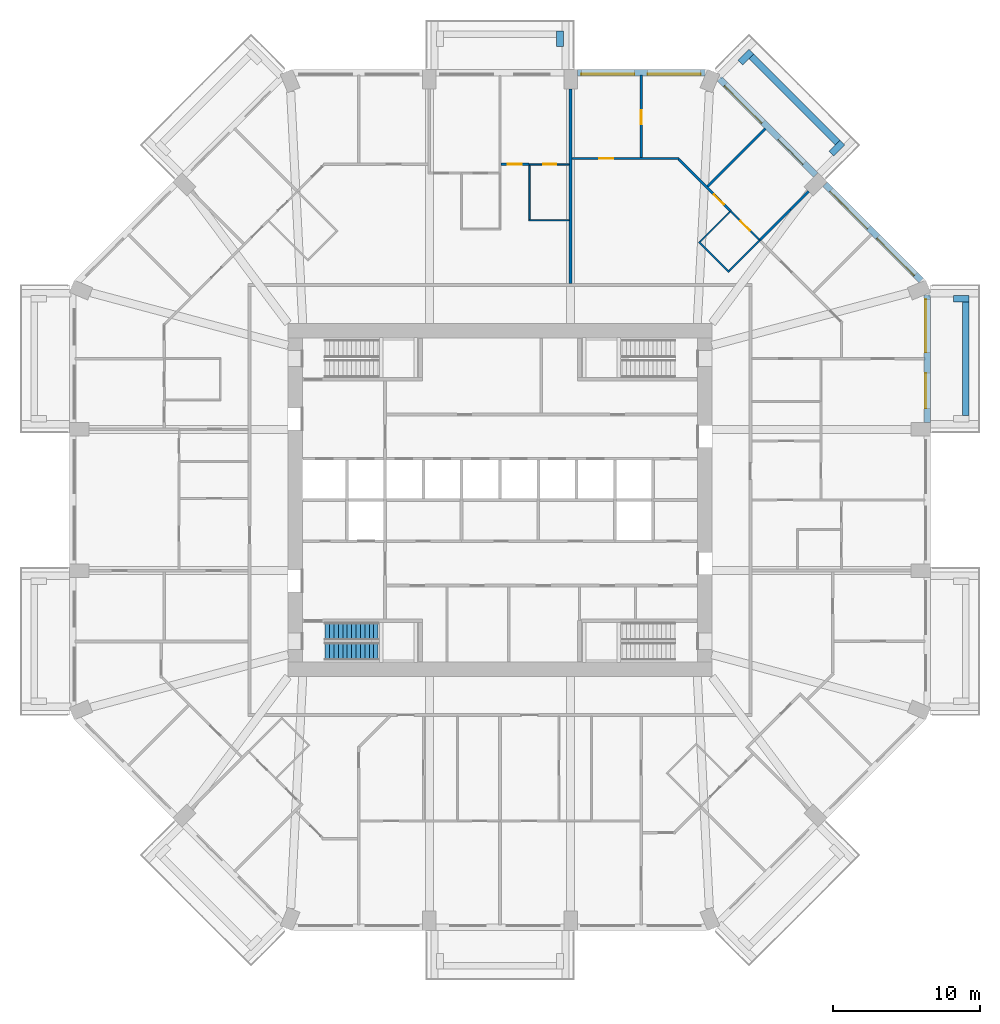
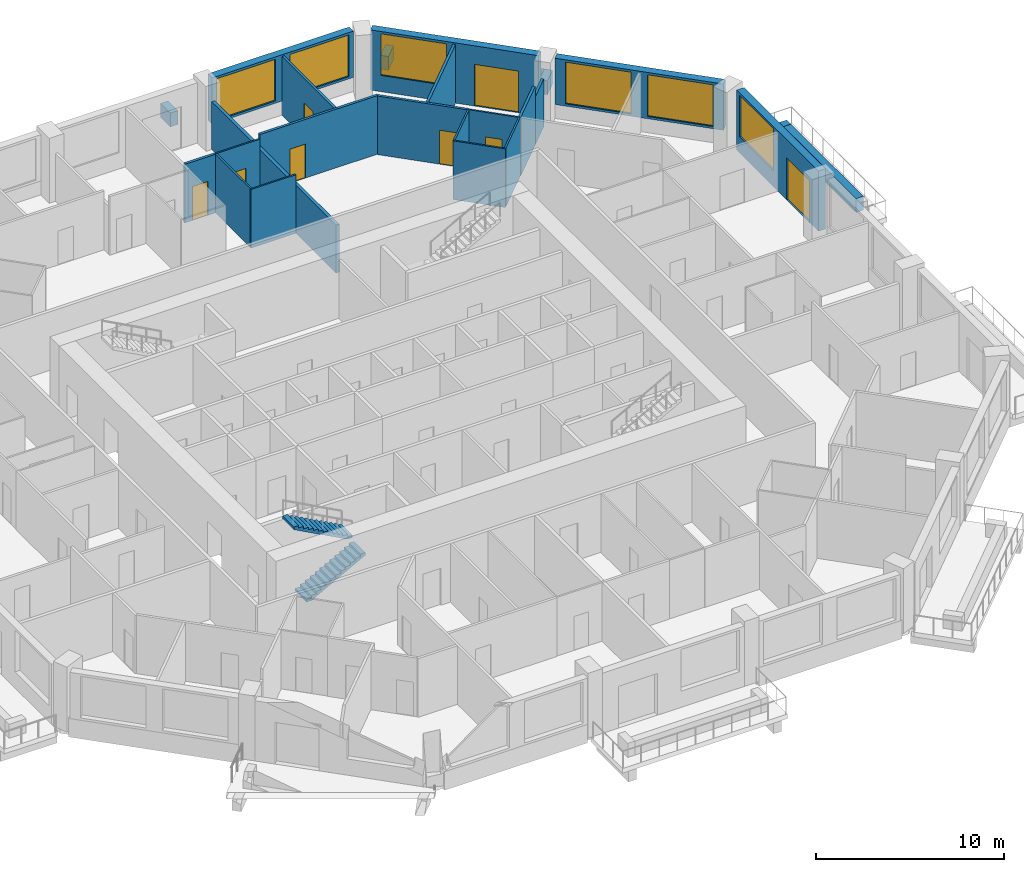
# One storey, part 10 of 13: 25 walls, 8 doors, 6 windows, 2 stair flights, 14 openings, 1 element without a shape of its own.
"""IFC4 building model written with IfcOpenShell, lengths in metres."""

import ifcopenshell
import ifcopenshell.guid

model = None  # the IFC model being written
_history = None  # IfcOwnerHistory: only IFC2X3 demands one
_inside = {}  # id of a spatial element -> (the spatial element, [elements in it])
_under = {}  # id of a project, library or spatial element -> (it, [spatial elements below it])
_declared = {}  # id of a project -> (the project, [libraries it declares])
_typed = {}  # id of a type object -> (the type object, [elements of that type])
_made_of = {}  # id of a material, layer set ... -> (it, [elements and type objects made of it])


def new_model(schema):
    """Start an empty IFC model of exactly this schema.

    Asked for "IFC4X3", IfcOpenShell would pick the latest addendum, in which some entities
    have other attributes; the version numbers below select the first issue.
    IFC2X3 requires an IfcOwnerHistory on every rooted entity: one is made here for all.
    """
    global model, _history
    if schema == "IFC4X3":
        model = ifcopenshell.file(schema_version=(4, 3, 0, 0))
    else:
        model = ifcopenshell.file(schema=schema)
    _inside.clear()
    _under.clear()
    _declared.clear()
    _typed.clear()
    _made_of.clear()
    _history = None
    if model.schema == "IFC2X3":
        org = make("IfcOrganization", Name="unknown")
        user = make(
            "IfcPersonAndOrganization",
            ThePerson=make("IfcPerson", FamilyName="unknown"),
            TheOrganization=org,
        )
        app = make(
            "IfcApplication",
            ApplicationDeveloper=org,
            Version="unknown",
            ApplicationFullName="unknown",
            ApplicationIdentifier="unknown",
        )
        _history = make(
            "IfcOwnerHistory",
            OwningUser=user,
            OwningApplication=app,
            ChangeAction="ADDED",
            CreationDate=0,
        )
    return model


def make(cls, **values):
    """One entity of the class cls with the attributes given. An attribute that is None is left unset."""
    return model.create_entity(
        cls, **{name: value for name, value in values.items() if value is not None}
    )


def rooted(cls, **values):
    """An entity with a GlobalId (a new one), such as an element, a storey or a relation."""
    return make(cls, GlobalId=ifcopenshell.guid.new(), OwnerHistory=_history, **values)


def si_unit(unit_type, name, prefix=None):
    """IfcSIUnit, for example si_unit("LENGTHUNIT", "METRE", prefix="MILLI")."""
    return make("IfcSIUnit", UnitType=unit_type, Prefix=prefix, Name=name)


def assignment(units):
    """IfcUnitAssignment: the units of a project."""
    return None if units is None else make("IfcUnitAssignment", Units=units)


def point(xyz):
    """IfcCartesianPoint."""
    return None if xyz is None else make("IfcCartesianPoint", Coordinates=xyz)


def direction(xyz):
    """IfcDirection."""
    return None if xyz is None else make("IfcDirection", DirectionRatios=xyz)


def frame(location, z_axis=None, x_axis=None):
    """IfcAxis2Placement3D, a coordinate frame: its origin and axes. An axis left out is left unset."""
    return make(
        "IfcAxis2Placement3D",
        Location=point(location),
        Axis=direction(z_axis),
        RefDirection=direction(x_axis),
    )


def frame_2d(location, x_axis=None):
    """IfcAxis2Placement2D, a coordinate frame in the plane: its origin and x axis."""
    return make(
        "IfcAxis2Placement2D", Location=point(location), RefDirection=direction(x_axis)
    )


def origin():
    """The frame at (0, 0, 0) with its axes left unset."""
    return frame((0.0, 0.0, 0.0))


def place(relative_to, where):
    """IfcLocalPlacement: puts the frame where relative to a parent placement (None: the world)."""
    return make(
        "IfcLocalPlacement", PlacementRelTo=relative_to, RelativePlacement=where
    )


def context(
    kind, dimensions, precision=None, world=None, true_north=None, identifier=None
):
    """IfcGeometricRepresentationContext, for example the 3D "Model" context."""
    return make(
        "IfcGeometricRepresentationContext",
        ContextIdentifier=identifier,
        ContextType=kind,
        CoordinateSpaceDimension=dimensions,
        Precision=precision,
        WorldCoordinateSystem=world,
        TrueNorth=true_north,
    )


def subcontext(parent, identifier, kind, view, scale=None):
    """IfcGeometricRepresentationSubContext, for example "Body" below "Model"."""
    return make(
        "IfcGeometricRepresentationSubContext",
        ContextIdentifier=identifier,
        ContextType=kind,
        ParentContext=parent,
        TargetScale=scale,
        TargetView=view,
    )


def project(units=None, contexts=None):
    """IfcProject with its units and contexts."""
    return rooted(
        "IfcProject",
        Name="project",
        RepresentationContexts=contexts,
        UnitsInContext=assignment(units),
    )


def spatial(cls, under=None, at=None, **own):
    """A site, building, storey or space (cls), placed at a placement, below another one or the project."""
    s = rooted(cls, ObjectPlacement=at, **own)
    if under is not None:
        _under.setdefault(under.id(), (under, []))[1].append(s)
    return s


def polyline(points):
    """IfcPolyline through the points."""
    return make("IfcPolyline", Points=[point(p) for p in points])


def profile(cls, at=None, kind="AREA", **sizes):
    """A parametric profile (cls). Its sizes go by their IFC names, for example OverallWidth=200.0."""
    return make(cls, ProfileType=kind, Position=at, **sizes)


def rectangle(**sizes):
    """IfcRectangleProfileDef."""
    return profile("IfcRectangleProfileDef", **sizes)


def outline(outer, holes=None, kind="AREA"):
    """IfcArbitraryClosedProfileDef: a profile drawn as a closed curve; with holes, ...WithVoids."""
    if holes is None:
        return make("IfcArbitraryClosedProfileDef", ProfileType=kind, OuterCurve=outer)
    return make(
        "IfcArbitraryProfileDefWithVoids",
        ProfileType=kind,
        OuterCurve=outer,
        InnerCurves=holes,
    )


def extrude(swept, where, along, depth):
    """IfcExtrudedAreaSolid: the profile swept, set in the frame where, extruded along a direction by depth."""
    return make(
        "IfcExtrudedAreaSolid",
        SweptArea=swept,
        Position=where,
        ExtrudedDirection=direction(along),
        Depth=depth,
    )


def shape(context_of_items, identifier, shape_type, items):
    """IfcShapeRepresentation: the items that make up one representation, for example the "Body"."""
    return make(
        "IfcShapeRepresentation",
        ContextOfItems=context_of_items,
        RepresentationIdentifier=identifier,
        RepresentationType=shape_type,
        Items=items,
    )


def material(Name=None, Category=None):
    """IfcMaterial."""
    return make("IfcMaterial", Name=Name, Category=Category)


def layer(
    of_material, thickness, ventilated=None, Name=None, Category=None, Priority=None
):
    """IfcMaterialLayer: one layer of a wall or slab, of a material (None: an air gap)."""
    return make(
        "IfcMaterialLayer",
        Material=of_material,
        LayerThickness=thickness,
        IsVentilated=ventilated,
        Name=Name,
        Category=Category,
        Priority=Priority,
    )


def layer_set(layers, Name=None):
    """IfcMaterialLayerSet."""
    return make("IfcMaterialLayerSet", MaterialLayers=layers, LayerSetName=Name)


def made_of(thing, what):
    """Note that an element or type object is made of a material, layer set ...; save() writes the relation."""
    if what is not None:
        _made_of.setdefault(what.id(), (what, []))[1].append(thing)
    return thing


def type_object(cls, material=None, **own):
    """A type object (cls), such as IfcWallType, which elements share."""
    return made_of(rooted(cls, **own), material)


def element(
    cls,
    number,
    at=None,
    inside=None,
    cuts=None,
    type_object=None,
    material=None,
    context=None,
    identifier="Body",
    shape_type=None,
    held_by="IfcProductDefinitionShape",
    body=None,
    shapes=None,
    **own,
):
    """One element of the class cls, such as IfcWall. Its Tag is "e" and its number.

    at: its placement. inside: the storey or other place that contains it. cuts: it is an
    opening in that element (IfcRelVoidsElement). A single representation is given by context,
    identifier, shape_type and body (its items); several are given by shapes. held_by: the class
    of the entity that holds the representations. save() writes the other relations.
    """
    e = rooted(cls, Tag="e%d" % number, ObjectPlacement=at, **own)
    if body is not None:
        shapes = [shape(context, identifier, shape_type, body)]
    if shapes is not None:
        e.Representation = make(held_by, Representations=shapes)
    if inside is not None:
        _inside.setdefault(inside.id(), (inside, []))[1].append(e)
    if cuts is not None:
        rooted(
            "IfcRelVoidsElement", RelatingBuildingElement=cuts, RelatedOpeningElement=e
        )
    if type_object is not None:
        _typed.setdefault(type_object.id(), (type_object, []))[1].append(e)
    return made_of(e, material)


def fill(opening, filler):
    """IfcRelFillsElement: the door or window that sits in an opening."""
    return rooted(
        "IfcRelFillsElement",
        RelatingOpeningElement=opening,
        RelatedBuildingElement=filler,
    )


def aggregate(whole, parts):
    """IfcRelAggregates: a whole, such as a stair, and the parts it consists of."""
    return rooted("IfcRelAggregates", RelatingObject=whole, RelatedObjects=parts)


def save(model, path):
    """Write the relations noted so far, then the file.

    IfcRelAggregates (storeys below a building ...), IfcRelContainedInSpatialStructure (elements
    in a storey), IfcRelDefinesByType, IfcRelAssociatesMaterial and IfcRelDeclares: one each for
    every whole, place, type object, material and project.
    """
    for whole, parts in _under.values():
        aggregate(whole, parts)
    for where, things in _inside.values():
        rooted(
            "IfcRelContainedInSpatialStructure",
            RelatedElements=things,
            RelatingStructure=where,
        )
    for kind, things in _typed.values():
        rooted("IfcRelDefinesByType", RelatedObjects=things, RelatingType=kind)
    for what, things in _made_of.values():
        rooted("IfcRelAssociatesMaterial", RelatedObjects=things, RelatingMaterial=what)
    for by, libraries in _declared.values():
        rooted("IfcRelDeclares", RelatingContext=by, RelatedDefinitions=libraries)
    model.write(path)


model = new_model("IFC4")

# Units and contexts
model_context = context("Model", 3, precision=1e-05, world=origin(), true_north=direction((0.0, 1.0)))
body_context = subcontext(model_context, "Body", "Model", "MODEL_VIEW")
ifc_project = project(units=[si_unit("LENGTHUNIT", "METRE"), si_unit("AREAUNIT", "SQUARE_METRE"), si_unit("VOLUMEUNIT", "CUBIC_METRE"), si_unit("PLANEANGLEUNIT", "RADIAN"), si_unit("MASSUNIT", "GRAM", prefix="KILO")], contexts=[model_context])

# Site, building, storey
site_placement = place(None, origin())
site = spatial("IfcSite", under=ifc_project, at=site_placement, CompositionType="ELEMENT")
building_placement = place(site_placement, origin())
building = spatial("IfcBuilding", under=site, at=building_placement, Name="Msitu Wima Residences", CompositionType="ELEMENT")
storey_placement = place(building_placement, frame((0.0, 0.0, 96.89990234375)))
storey = spatial("IfcBuildingStorey", under=building, at=storey_placement, Name="L22", CompositionType="ELEMENT", Elevation=96.89990234375)

# Walls
ifc_material_1 = material(Name="Facing brick")
ifc_layer_1 = layer(ifc_material_1, 0.06494140625, Name="Facing brick")
ifc_material_2 = material(Name="Concrete C40/50", Category="concrete")
ifc_layer_2 = layer(ifc_material_2, 0.156005859375, Name="Concrete C40/50")
ifc_material_3 = material(Name="Waterproofing membrane")
ifc_layer_3 = layer(ifc_material_3, 0.00390625, Name="Waterproofing membrane")
ifc_material_4 = material(Name="Planting soil and planting")
ifc_layer_4 = layer(ifc_material_4, 0.22509765625, Name="Planting soil and planting")
ifc_layer_set_1 = layer_set([ifc_layer_1, ifc_layer_2, ifc_layer_3, ifc_layer_4], Name="Concrete C40/50")
wall_type_1 = type_object("IfcWallType", Name="Balcony planter PLANTER PL450", PredefinedType="USERDEFINED", material=ifc_layer_set_1)
wall_1_placement = place(storey_placement, frame((31.625, 5.75, 0.0), z_axis=(0.0, 0.0, 1.0), x_axis=(0.0, 1.0, 0.0)))
element("IfcWall", 1, at=wall_1_placement, inside=storey, type_object=wall_type_1, Name="Balcony planter E2 L22", ObjectType="PLANTER", PredefinedType="USERDEFINED", context=body_context, shape_type="SweptSolid", body=[
    extrude(rectangle(XDim=7.699951171875, YDim=0.449951171875, at=frame_2d((3.85009765625, 0.0))), origin(), (0.0, 0.0, 1.0), 0.900146484375),
])
wall_2_placement = place(storey_placement, frame((30.800048828125, 13.675048828125, 0.0), z_axis=(0.0, 0.0, 1.0), x_axis=(1.0, 0.0, 0.0)))
element("IfcWall", 2, at=wall_2_placement, inside=storey, type_object=wall_type_1, Name="Balcony planter E2 L22", ObjectType="PLANTER", PredefinedType="USERDEFINED", context=body_context, shape_type="SweptSolid", body=[
    extrude(rectangle(XDim=1.050048828125, YDim=0.449951171875, at=frame_2d((0.52490234375, 0.0))), origin(), (0.0, 0.0, 1.0), 0.900146484375),
])
wall_3_placement = place(storey_placement, frame((22.92578125, 24.269287109375, 0.0), z_axis=(0.0, 0.0, 1.0), x_axis=(-0.707106781187, 0.707106781187, 0.0)))
element("IfcWall", 3, at=wall_3_placement, inside=storey, type_object=wall_type_1, Name="Balcony planter NE1 L22", ObjectType="PLANTER", PredefinedType="USERDEFINED", context=body_context, shape_type="SweptSolid", body=[
    extrude(rectangle(XDim=8.2822265625, YDim=0.449951171875, at=frame_2d((4.14111328125, 0.0))), origin(), (0.0, 0.0, 1.0), 0.900146484375),
])
for number, where, z_axis, x_axis, name in (
    (4, (22.50146484375, 23.52685546875, 0.0), (0.0, 0.0, 1.0), (0.707223014731, 0.706990528533, 0.0), "Balcony planter NE1 L22"),
    (5, (16.326904296875, 29.70166015625, 0.0), (0.0, 0.0, 1.0), (0.707106781187, 0.707106781187, 0.0), "Balcony planter NE1 L22"),
    (6, (4.074951171875, 30.800048828125, 0.0), (0.0, 0.0, 1.0), (0.0, 1.0, 0.0), "Balcony planter N1 L22"),
):
    element("IfcWall", number, at=place(storey_placement, frame(where, z_axis=z_axis, x_axis=x_axis)), inside=storey, type_object=wall_type_1, Name=name, ObjectType="PLANTER", PredefinedType="USERDEFINED", context=body_context, shape_type="SweptSolid", body=[
        extrude(rectangle(XDim=1.050048828125, YDim=0.449951171875, at=frame_2d((0.52490234375, 0.0))), origin(), (0.0, 0.0, 1.0), 0.900146484375),
    ])

# Wall, openings, door, window
ifc_material_5 = material(Name="Brick (red buff mix)", Category="masonry")
ifc_layer_5 = layer(ifc_material_5, 0.449951171875)
ifc_layer_set_2 = layer_set([ifc_layer_5], Name="Brick (red buff mix)")
wall_type_2 = type_object("IfcWallType", Name="Brick infill wall BW450", PredefinedType="SOLIDWALL", material=ifc_layer_set_2)
wall_4_placement = place(storey_placement, frame((29.02490234375, 5.25, 0.0), z_axis=(0.0, 0.0, 1.0), x_axis=(0.0, 1.0, 0.0)))
wall_4 = element("IfcWall", 7, at=wall_4_placement, inside=storey, type_object=wall_type_2, Name="Brick infill wall L22 E2", PredefinedType="SOLIDWALL", context=body_context, shape_type="SweptSolid", body=[
    extrude(rectangle(XDim=8.662841796875, YDim=0.449951171875, at=frame_2d((4.33154296875, 0.0))), origin(), (0.0, 0.0, 1.0), 3.900146484375),
])
opening_1_placement = place(wall_4_placement, frame((0.9658203125, 0.0, 0.0)))
opening_1 = element("IfcOpeningElement", 8, at=opening_1_placement, cuts=wall_4, Name="Opening D22.002", PredefinedType="OPENING", context=body_context, shape_type="SweptSolid", body=[
    extrude(rectangle(XDim=2.39990234375, YDim=2.699951171875, at=frame_2d((1.199951171875, 1.35009765625))), frame((0.0, 0.23486328125, 0.0), z_axis=(0.0, -1.0, 0.0), x_axis=(1.0, 0.0, 0.0)), (0.0, 0.0, 1.0), 0.469970703125),
])
opening_2_placement = place(wall_4_placement, frame((4.781494140625, 0.0, 1.050048828125)))
opening_2 = element("IfcOpeningElement", 9, at=opening_2_placement, cuts=wall_4, Name="Opening W22.004", PredefinedType="OPENING", context=body_context, shape_type="SweptSolid", body=[
    extrude(rectangle(XDim=3.60009765625, YDim=2.699951171875, at=frame_2d((1.800048828125, 1.35009765625))), frame((0.0, 0.23486328125, 0.0), z_axis=(0.0, -1.0, 0.0), x_axis=(1.0, 0.0, 0.0)), (0.0, 0.0, 1.0), 0.469970703125),
])
ifc_material_6 = material(Name="Anodised aluminium, bronze finish, clear low-emissivity double glazing", Category="aluminium")
door_type_1 = type_object("IfcDoorType", Name="Balcony door D2400x2700", OperationType="SLIDING_TO_LEFT", PredefinedType="DOOR", material=ifc_material_6)
door_1_placement = place(opening_1_placement, origin())
door_1 = element("IfcDoor", 10, at=door_1_placement, inside=storey, type_object=door_type_1, Name="Balcony door L22 E2", OperationType="SINGLE_SWING_LEFT", OverallHeight=2.699951171875, OverallWidth=2.39990234375, PredefinedType="DOOR", context=body_context, shape_type="SweptSolid", body=[
    extrude(rectangle(XDim=2.39990234375, YDim=2.699951171875, at=frame_2d((1.199951171875, 1.35009765625))), frame((0.0, 0.1298828125, 0.0), z_axis=(0.0, -1.0, 0.0), x_axis=(1.0, 0.0, 0.0)), (0.0, 0.0, 1.0), 0.050048828125),
])
fill(opening_1, door_1)
window_type = type_object("IfcWindowType", Name="Window W3600x2700", PartitioningType="DOUBLE_PANEL_VERTICAL", PredefinedType="WINDOW", material=ifc_material_6)
window_1_placement = place(opening_2_placement, origin())
window_1 = element("IfcWindow", 11, at=window_1_placement, inside=storey, type_object=window_type, Name="Window L22 E2.2", OverallHeight=2.699951171875, OverallWidth=3.60009765625, PartitioningType="SINGLE_PANEL", PredefinedType="WINDOW", context=body_context, shape_type="SweptSolid", body=[
    extrude(rectangle(XDim=3.60009765625, YDim=2.699951171875, at=frame_2d((1.800048828125, 1.35009765625))), frame((0.0, 0.135009765625, 0.0), z_axis=(0.0, -1.0, 0.0), x_axis=(1.0, 0.0, 0.0)), (0.0, 0.0, 1.0), 0.06005859375),
])
fill(opening_2, window_1)

# Wall, openings, windows
wall_5_placement = place(storey_placement, frame((28.61474609375, 14.903564453125, 0.900146484375), z_axis=(0.0, 0.0, 1.0), x_axis=(-0.707106781187, 0.707106781187, 0.0)))
wall_5 = element("IfcWall", 12, at=wall_5_placement, inside=storey, type_object=wall_type_2, Name="Brick infill wall L22 NE0", PredefinedType="SOLIDWALL", context=body_context, shape_type="SweptSolid", body=[
    extrude(rectangle(XDim=9.2451171875, YDim=0.449951171875, at=frame_2d((4.62255859375, 0.0))), origin(), (0.0, 0.0, 1.0), 3.0),
])
opening_3_placement = place(wall_5_placement, frame((0.572509765625, 0.0, 0.14990234375)))
opening_3 = element("IfcOpeningElement", 13, at=opening_3_placement, cuts=wall_5, Name="Opening W22.010", PredefinedType="OPENING", context=body_context, shape_type="SweptSolid", body=[
    extrude(rectangle(XDim=3.60009765625, YDim=2.699951171875, at=frame_2d((1.800048828125, 1.35009765625))), frame((0.0, 0.23486328125, 0.0), z_axis=(0.0, -1.0, 0.0), x_axis=(1.0, 0.0, 0.0)), (0.0, 0.0, 1.0), 0.469970703125),
])
opening_4_placement = place(wall_5_placement, frame((5.072509765625, 0.0, 0.14990234375)))
opening_4 = element("IfcOpeningElement", 14, at=opening_4_placement, cuts=wall_5, Name="Opening W22.011", PredefinedType="OPENING", context=body_context, shape_type="SweptSolid", body=[
    extrude(rectangle(XDim=3.60009765625, YDim=2.699951171875, at=frame_2d((1.800048828125, 1.35009765625))), frame((0.0, 0.23486328125, 0.0), z_axis=(0.0, -1.0, 0.0), x_axis=(1.0, 0.0, 0.0)), (0.0, 0.0, 1.0), 0.469970703125),
])
window_2_placement = place(opening_3_placement, origin())
window_2 = element("IfcWindow", 15, at=window_2_placement, inside=storey, type_object=window_type, Name="Window L22 NE0.1", OverallHeight=2.699951171875, OverallWidth=3.60009765625, PartitioningType="SINGLE_PANEL", PredefinedType="WINDOW", context=body_context, shape_type="SweptSolid", body=[
    extrude(rectangle(XDim=3.60009765625, YDim=2.699951171875, at=frame_2d((1.800048828125, 1.35009765625))), frame((0.0, 0.135009765625, 0.0), z_axis=(0.0, -1.0, 0.0), x_axis=(1.0, 0.0, 0.0)), (0.0, 0.0, 1.0), 0.06005859375),
])
fill(opening_3, window_2)
window_3_placement = place(opening_4_placement, origin())
window_3 = element("IfcWindow", 16, at=window_3_placement, inside=storey, type_object=window_type, Name="Window L22 NE0.2", OverallHeight=2.699951171875, OverallWidth=3.60009765625, PartitioningType="SINGLE_PANEL", PredefinedType="WINDOW", context=body_context, shape_type="SweptSolid", body=[
    extrude(rectangle(XDim=3.60009765625, YDim=2.699951171875, at=frame_2d((1.800048828125, 1.35009765625))), frame((0.0, 0.135009765625, 0.0), z_axis=(0.0, -1.0, 0.0), x_axis=(1.0, 0.0, 0.0)), (0.0, 0.0, 1.0), 0.06005859375),
])
fill(opening_4, window_3)

# Wall, openings, door, window
wall_6_placement = place(storey_placement, frame((21.44091796875, 22.077392578125, 0.0), z_axis=(0.0, 0.0, 1.0), x_axis=(-0.707106781187, 0.707106781187, 0.0)))
wall_6 = element("IfcWall", 17, at=wall_6_placement, inside=storey, type_object=wall_type_2, Name="Brick infill wall L22 NE1", PredefinedType="SOLIDWALL", context=body_context, shape_type="SweptSolid", body=[
    extrude(rectangle(XDim=9.2451171875, YDim=0.449951171875, at=frame_2d((4.62255859375, 0.0))), origin(), (0.0, 0.0, 1.0), 3.900146484375),
])
opening_5_placement = place(wall_6_placement, frame((1.111328125, 0.0, 0.0)))
opening_5 = element("IfcOpeningElement", 18, at=opening_5_placement, cuts=wall_6, Name="Opening D22.004", PredefinedType="OPENING", context=body_context, shape_type="SweptSolid", body=[
    extrude(rectangle(XDim=2.39990234375, YDim=2.699951171875, at=frame_2d((1.199951171875, 1.35009765625))), frame((0.0, 0.23486328125, 0.0), z_axis=(0.0, -1.0, 0.0), x_axis=(1.0, 0.0, 0.0)), (0.0, 0.0, 1.0), 0.469970703125),
])
opening_6_placement = place(wall_6_placement, frame((5.072509765625, 0.0, 1.050048828125)))
opening_6 = element("IfcOpeningElement", 19, at=opening_6_placement, cuts=wall_6, Name="Opening W22.012", PredefinedType="OPENING", context=body_context, shape_type="SweptSolid", body=[
    extrude(rectangle(XDim=3.60009765625, YDim=2.699951171875, at=frame_2d((1.800048828125, 1.35009765625))), frame((0.0, 0.23486328125, 0.0), z_axis=(0.0, -1.0, 0.0), x_axis=(1.0, 0.0, 0.0)), (0.0, 0.0, 1.0), 0.469970703125),
])
door_2_placement = place(opening_5_placement, origin())
door_2 = element("IfcDoor", 20, at=door_2_placement, inside=storey, type_object=door_type_1, Name="Balcony door L22 NE1", OperationType="SINGLE_SWING_LEFT", OverallHeight=2.699951171875, OverallWidth=2.39990234375, PredefinedType="DOOR", context=body_context, shape_type="SweptSolid", body=[
    extrude(rectangle(XDim=2.39990234375, YDim=2.699951171875, at=frame_2d((1.199951171875, 1.35009765625))), frame((0.0, 0.1298828125, 0.0), z_axis=(0.0, -1.0, 0.0), x_axis=(1.0, 0.0, 0.0)), (0.0, 0.0, 1.0), 0.050048828125),
])
fill(opening_5, door_2)
window_4_placement = place(opening_6_placement, origin())
window_4 = element("IfcWindow", 21, at=window_4_placement, inside=storey, type_object=window_type, Name="Window L22 NE1.2", OverallHeight=2.699951171875, OverallWidth=3.60009765625, PartitioningType="SINGLE_PANEL", PredefinedType="WINDOW", context=body_context, shape_type="SweptSolid", body=[
    extrude(rectangle(XDim=3.60009765625, YDim=2.699951171875, at=frame_2d((1.800048828125, 1.35009765625))), frame((0.0, 0.135009765625, 0.0), z_axis=(0.0, -1.0, 0.0), x_axis=(1.0, 0.0, 0.0)), (0.0, 0.0, 1.0), 0.06005859375),
])
fill(opening_6, window_4)

# Wall, openings, windows
wall_7_placement = place(storey_placement, frame((13.912841796875, 29.02490234375, 0.900146484375), z_axis=(0.0, 0.0, 1.0), x_axis=(-1.0, 0.0, 0.0)))
wall_7 = element("IfcWall", 22, at=wall_7_placement, inside=storey, type_object=wall_type_2, Name="Brick infill wall L22 N0", PredefinedType="SOLIDWALL", context=body_context, shape_type="SweptSolid", body=[
    extrude(rectangle(XDim=8.662841796875, YDim=0.449951171875, at=frame_2d((4.33154296875, 0.0))), origin(), (0.0, 0.0, 1.0), 3.0),
])
opening_7_placement = place(wall_7_placement, frame((0.281494140625, 0.0, 0.14990234375)))
opening_7 = element("IfcOpeningElement", 23, at=opening_7_placement, cuts=wall_7, Name="Opening W22.005", PredefinedType="OPENING", context=body_context, shape_type="SweptSolid", body=[
    extrude(rectangle(XDim=3.60009765625, YDim=2.699951171875, at=frame_2d((1.800048828125, 1.35009765625))), frame((0.0, 0.23486328125, 0.0), z_axis=(0.0, -1.0, 0.0), x_axis=(1.0, 0.0, 0.0)), (0.0, 0.0, 1.0), 0.469970703125),
])
opening_8_placement = place(wall_7_placement, frame((4.781494140625, 0.0, 0.14990234375)))
opening_8 = element("IfcOpeningElement", 24, at=opening_8_placement, cuts=wall_7, Name="Opening W22.006", PredefinedType="OPENING", context=body_context, shape_type="SweptSolid", body=[
    extrude(rectangle(XDim=3.60009765625, YDim=2.699951171875, at=frame_2d((1.800048828125, 1.35009765625))), frame((0.0, 0.23486328125, 0.0), z_axis=(0.0, -1.0, 0.0), x_axis=(1.0, 0.0, 0.0)), (0.0, 0.0, 1.0), 0.469970703125),
])
window_5_placement = place(opening_7_placement, origin())
window_5 = element("IfcWindow", 25, at=window_5_placement, inside=storey, type_object=window_type, Name="Window L22 N0.1", OverallHeight=2.699951171875, OverallWidth=3.60009765625, PartitioningType="SINGLE_PANEL", PredefinedType="WINDOW", context=body_context, shape_type="SweptSolid", body=[
    extrude(rectangle(XDim=3.60009765625, YDim=2.699951171875, at=frame_2d((1.800048828125, 1.35009765625))), frame((0.0, 0.135009765625, 0.0), z_axis=(0.0, -1.0, 0.0), x_axis=(1.0, 0.0, 0.0)), (0.0, 0.0, 1.0), 0.06005859375),
])
fill(opening_7, window_5)
window_6_placement = place(opening_8_placement, origin())
window_6 = element("IfcWindow", 26, at=window_6_placement, inside=storey, type_object=window_type, Name="Window L22 N0.2", OverallHeight=2.699951171875, OverallWidth=3.60009765625, PartitioningType="SINGLE_PANEL", PredefinedType="WINDOW", context=body_context, shape_type="SweptSolid", body=[
    extrude(rectangle(XDim=3.60009765625, YDim=2.699951171875, at=frame_2d((1.800048828125, 1.35009765625))), frame((0.0, 0.135009765625, 0.0), z_axis=(0.0, -1.0, 0.0), x_axis=(1.0, 0.0, 0.0)), (0.0, 0.0, 1.0), 0.06005859375),
])
fill(opening_8, window_6)

# Wall, opening, door
ifc_material_7 = material(Name="Plaster")
ifc_layer_6 = layer(ifc_material_7, 0.011962890625, Name="Plaster")
ifc_material_8 = material(Name="Concrete blockwork", Category="masonry")
ifc_layer_7 = layer(ifc_material_8, 0.1259765625, Name="Concrete blockwork")
ifc_layer_8 = layer(ifc_material_7, 0.011962890625, Name="Plaster")
ifc_layer_set_3 = layer_set([ifc_layer_6, ifc_layer_7, ifc_layer_8], Name="Concrete blockwork")
wall_type_3 = type_object("IfcWallType", Name="Partition PW150", PredefinedType="PARTITIONING", material=ifc_layer_set_3)
wall_8_placement = place(storey_placement, frame((0.074951171875, 22.800048828125, 0.0), z_axis=(0.0, 0.0, 1.0), x_axis=(1.0, 0.0, 0.0)))
wall_8 = element("IfcWall", 27, at=wall_8_placement, inside=storey, type_object=wall_type_3, Name="Partition", PredefinedType="PARTITIONING", context=body_context, shape_type="SweptSolid", body=[
    extrude(rectangle(XDim=1.905029296875, YDim=0.14990234375, at=frame_2d((0.95263671875, 0.0))), origin(), (0.0, 0.0, 1.0), 3.798095703125),
])
opening_9_placement = place(wall_8_placement, frame((0.449951171875, 0.0, 0.0)))
opening_9 = element("IfcOpeningElement", 28, at=opening_9_placement, cuts=wall_8, Name="Opening D22.058", PredefinedType="OPENING", context=body_context, shape_type="SweptSolid", body=[
    extrude(rectangle(XDim=0.949951171875, YDim=2.199951171875, at=frame_2d((0.47509765625, 1.10009765625))), frame((0.0, 0.0849609375, 0.0), z_axis=(0.0, -1.0, 0.0), x_axis=(1.0, 0.0, 0.0)), (0.0, 0.0, 1.0), 0.169921875),
])
ifc_material_9 = material(Name="Timber flush door", Category="wood")
door_type_2 = type_object("IfcDoorType", Name="Room door D12 950x2200", OperationType="SINGLE_SWING_LEFT", PredefinedType="DOOR", material=ifc_material_9)
door_3_placement = place(opening_9_placement, origin())
door_3 = element("IfcDoor", 29, at=door_3_placement, inside=storey, type_object=door_type_2, Name="Room door", OperationType="SINGLE_SWING_LEFT", OverallHeight=2.199951171875, OverallWidth=0.949951171875, PredefinedType="DOOR", context=body_context, shape_type="SweptSolid", body=[
    extrude(rectangle(XDim=0.949951171875, YDim=2.199951171875, at=frame_2d((0.47509765625, 1.10009765625))), frame((0.0, 0.02490234375, 0.0), z_axis=(0.0, -1.0, 0.0), x_axis=(1.0, 0.0, 0.0)), (0.0, 0.0, 1.0), 0.050048828125),
])
fill(opening_9, door_3)

wall_9_placement = place(storey_placement, frame((4.89990234375, 23.199951171875, 0.0), z_axis=(0.0, 0.0, 1.0), x_axis=(1.0, 0.0, 0.0)))
wall_9 = element("IfcWall", 30, at=wall_9_placement, inside=storey, type_object=wall_type_3, Name="Partition", PredefinedType="PARTITIONING", context=body_context, shape_type="SweptSolid", body=[
    extrude(rectangle(XDim=7.255615234375, YDim=0.14990234375, at=frame_2d((3.6279296875, 0.0))), origin(), (0.0, 0.0, 1.0), 3.798095703125),
])
opening_10_placement = place(wall_9_placement, frame((1.85009765625, 0.0, 0.0)))
opening_10 = element("IfcOpeningElement", 31, at=opening_10_placement, cuts=wall_9, Name="Opening D22.089", PredefinedType="OPENING", context=body_context, shape_type="SweptSolid", body=[
    extrude(rectangle(XDim=0.949951171875, YDim=2.199951171875, at=frame_2d((0.47509765625, 1.10009765625))), frame((0.0, 0.0849609375, 0.0), z_axis=(0.0, -1.0, 0.0), x_axis=(1.0, 0.0, 0.0)), (0.0, 0.0, 1.0), 0.169921875),
])
door_4_placement = place(opening_10_placement, origin())
door_4 = element("IfcDoor", 32, at=door_4_placement, inside=storey, type_object=door_type_2, Name="Room door", OperationType="SINGLE_SWING_RIGHT", OverallHeight=2.199951171875, OverallWidth=0.949951171875, PredefinedType="DOOR", context=body_context, shape_type="SweptSolid", body=[
    extrude(rectangle(XDim=0.949951171875, YDim=2.199951171875, at=frame_2d((0.47509765625, 1.10009765625))), frame((0.0, 0.02490234375, 0.0), z_axis=(0.0, -1.0, 0.0), x_axis=(1.0, 0.0, 0.0)), (0.0, 0.0, 1.0), 0.050048828125),
])
fill(opening_10, door_4)

wall_10_placement = place(storey_placement, frame((9.60009765625, 23.27490234375, 0.0), z_axis=(0.0, 0.0, 1.0), x_axis=(0.0, 1.0, 0.0)))
wall_10 = element("IfcWall", 33, at=wall_10_placement, inside=storey, type_object=wall_type_3, Name="Partition", PredefinedType="PARTITIONING", context=body_context, shape_type="SweptSolid", body=[
    extrude(rectangle(XDim=5.580078125, YDim=0.14990234375, at=frame_2d((2.7900390625, 0.0))), origin(), (0.0, 0.0, 1.0), 3.798095703125),
])
opening_11_placement = place(wall_10_placement, frame((2.25, 0.0, 0.0)))
opening_11 = element("IfcOpeningElement", 34, at=opening_11_placement, cuts=wall_10, Name="Opening D22.044", PredefinedType="OPENING", context=body_context, shape_type="SweptSolid", body=[
    extrude(rectangle(XDim=0.949951171875, YDim=2.199951171875, at=frame_2d((0.47509765625, 1.10009765625))), frame((0.0, 0.0849609375, 0.0), z_axis=(0.0, -1.0, 0.0), x_axis=(1.0, 0.0, 0.0)), (0.0, 0.0, 1.0), 0.169921875),
])
door_5_placement = place(opening_11_placement, origin())
door_5 = element("IfcDoor", 35, at=door_5_placement, inside=storey, type_object=door_type_2, Name="Room door", OperationType="SINGLE_SWING_RIGHT", OverallHeight=2.199951171875, OverallWidth=0.949951171875, PredefinedType="DOOR", context=body_context, shape_type="SweptSolid", body=[
    extrude(rectangle(XDim=0.949951171875, YDim=2.199951171875, at=frame_2d((0.47509765625, 1.10009765625))), frame((0.0, 0.02490234375, 0.0), z_axis=(0.0, -1.0, 0.0), x_axis=(1.0, 0.0, 0.0)), (0.0, 0.0, 1.0), 0.050048828125),
])
fill(opening_11, door_5)

wall_11_placement = place(storey_placement, frame((12.133544921875, 23.14697265625, 0.0), z_axis=(0.0, 0.0, 1.0), x_axis=(0.707106781187, -0.707106781187, 0.0)))
wall_11 = element("IfcWall", 36, at=wall_11_placement, inside=storey, type_object=wall_type_3, Name="Partition", PredefinedType="PARTITIONING", context=body_context, shape_type="SweptSolid", body=[
    extrude(rectangle(XDim=4.98779296875, YDim=0.14990234375, at=frame_2d((2.493896484375, 0.0))), origin(), (0.0, 0.0, 1.0), 3.798095703125),
])
opening_12_placement = place(wall_11_placement, frame((3.39990234375, 0.0, 0.0)))
opening_12 = element("IfcOpeningElement", 37, at=opening_12_placement, cuts=wall_11, Name="Opening D22.041", PredefinedType="OPENING", context=body_context, shape_type="SweptSolid", body=[
    extrude(rectangle(XDim=0.949951171875, YDim=2.199951171875, at=frame_2d((0.47509765625, 1.10009765625))), frame((0.0, 0.0849609375, 0.0), z_axis=(0.0, -1.0, 0.0), x_axis=(1.0, 0.0, 0.0)), (0.0, 0.0, 1.0), 0.169921875),
])
door_6_placement = place(opening_12_placement, origin())
door_6 = element("IfcDoor", 38, at=door_6_placement, inside=storey, type_object=door_type_2, Name="Room door", OperationType="SINGLE_SWING_LEFT", OverallHeight=2.199951171875, OverallWidth=0.949951171875, PredefinedType="DOOR", context=body_context, shape_type="SweptSolid", body=[
    extrude(rectangle(XDim=0.949951171875, YDim=2.199951171875, at=frame_2d((0.47509765625, 1.10009765625))), frame((0.0, 0.02490234375, 0.0), z_axis=(0.0, -1.0, 0.0), x_axis=(1.0, 0.0, 0.0)), (0.0, 0.0, 1.0), 0.050048828125),
])
fill(opening_12, door_6)

# Walls
wall_12_placement = place(storey_placement, frame((14.09326171875, 21.293212890625, 0.0), z_axis=(0.0, 0.0, 1.0), x_axis=(0.70708478617, 0.707128775519, 0.0)))
element("IfcWall", 39, at=wall_12_placement, inside=storey, type_object=wall_type_3, Name="Partition", PredefinedType="PARTITIONING", context=body_context, shape_type="SweptSolid", body=[
    extrude(rectangle(XDim=5.550048828125, YDim=0.14990234375, at=frame_2d((2.77490234375, 0.0))), origin(), (0.0, 0.0, 1.0), 3.798095703125),
])
wall_13_placement = place(storey_placement, frame((17.6259765625, 17.6259765625, 0.0), z_axis=(0.0, 0.0, 1.0), x_axis=(0.707106781187, 0.707106781187, 0.0)))
element("IfcWall", 40, at=wall_13_placement, inside=storey, type_object=wall_type_3, Name="Partition", PredefinedType="PARTITIONING", context=body_context, shape_type="SweptSolid", body=[
    extrude(rectangle(XDim=2.9716796875, YDim=0.14990234375, at=frame_2d((1.48583984375, 0.0))), origin(), (0.0, 0.0, 1.0), 3.798095703125),
])
wall_14_placement = place(storey_placement, frame((19.727294921875, 19.727294921875, 0.0), z_axis=(0.0, 0.0, 1.0), x_axis=(0.707106781187, 0.707106781187, 0.0)))
element("IfcWall", 41, at=wall_14_placement, inside=storey, type_object=wall_type_3, Name="Partition", PredefinedType="PARTITIONING", context=body_context, shape_type="SweptSolid", body=[
    extrude(rectangle(XDim=1.74853515625, YDim=0.14990234375, at=frame_2d((0.874267578125, 0.0))), origin(), (0.0, 0.0, 1.0), 3.10009765625),
])
ifc_layer_9 = layer(ifc_material_7, 0.011962890625, Name="Plaster")
ifc_material_10 = material(Name="Dense concrete blockwork", Category="masonry")
ifc_layer_10 = layer(ifc_material_10, 0.176025390625, Name="Dense concrete blockwork")
ifc_layer_11 = layer(ifc_material_7, 0.011962890625, Name="Plaster")
ifc_layer_set_4 = layer_set([ifc_layer_9, ifc_layer_10, ifc_layer_11], Name="Dense concrete blockwork")
wall_type_4 = type_object("IfcWallType", Name="Party wall PW200", PredefinedType="PARTITIONING", material=ifc_layer_set_4)
wall_15_placement = place(storey_placement, frame((4.800048828125, 14.699951171875, 0.0), z_axis=(0.0, 0.0, 1.0), x_axis=(0.0, 1.0, 0.0)))
element("IfcWall", 42, at=wall_15_placement, inside=storey, type_object=wall_type_4, Name="Party wall", PredefinedType="PARTITIONING", context=body_context, shape_type="SweptSolid", body=[
    extrude(rectangle(XDim=13.199951171875, YDim=0.199951171875, at=frame_2d((6.60009765625, 0.0))), origin(), (0.0, 0.0, 1.0), 3.10009765625),
])

# Wall, opening, door
ifc_material_11 = material(Name="Ceramic tiles")
ifc_layer_12 = layer(ifc_material_11, 0.008056640625, Name="Ceramic tiles")
ifc_material_12 = material(Name="Moisture-resistant board")
ifc_layer_13 = layer(ifc_material_12, 0.012451171875, Name="Moisture-resistant board")
ifc_material_13 = material(Name="Light-gauge stud framing with mineral wool")
ifc_layer_14 = layer(ifc_material_13, 0.06689453125, Name="Light-gauge stud framing with mineral wool")
ifc_layer_15 = layer(ifc_material_12, 0.012451171875, Name="Moisture-resistant board")
ifc_layer_set_5 = layer_set([ifc_layer_12, ifc_layer_13, ifc_layer_14, ifc_layer_15], Name="Light-gauge stud framing with mineral wool")
wall_type_5 = type_object("IfcWallType", Name="Wet wall PW100", PredefinedType="PARTITIONING", material=ifc_layer_set_5)
wall_16_placement = place(storey_placement, frame((1.97998046875, 22.800048828125, 0.0), z_axis=(0.0, 0.0, 1.0), x_axis=(1.0, 0.0, 0.0)))
wall_16 = element("IfcWall", 43, at=wall_16_placement, inside=storey, type_object=wall_type_5, Name="Wet wall", PredefinedType="PARTITIONING", context=body_context, shape_type="SweptSolid", body=[
    extrude(rectangle(XDim=2.719970703125, YDim=0.10009765625, at=frame_2d((1.35986328125, 0.0))), origin(), (0.0, 0.0, 1.0), 3.798095703125),
])
opening_13_placement = place(wall_16_placement, frame((0.949951171875, 0.0, 0.0)))
opening_13 = element("IfcOpeningElement", 44, at=opening_13_placement, cuts=wall_16, Name="Opening D22.059", PredefinedType="OPENING", context=body_context, shape_type="SweptSolid", body=[
    extrude(rectangle(XDim=0.89990234375, YDim=2.199951171875, at=frame_2d((0.449951171875, 1.10009765625))), frame((0.0, 0.06005859375, 0.0), z_axis=(0.0, -1.0, 0.0), x_axis=(1.0, 0.0, 0.0)), (0.0, 0.0, 1.0), 0.1201171875),
])
ifc_material_14 = material(Name="Timber flush door, moisture resistant", Category="wood")
door_type_3 = type_object("IfcDoorType", Name="Bathroom door D03 900x2200", OperationType="SINGLE_SWING_LEFT", PredefinedType="DOOR", material=ifc_material_14)
door_7_placement = place(opening_13_placement, origin())
door_7 = element("IfcDoor", 45, at=door_7_placement, inside=storey, type_object=door_type_3, Name="Bathroom door", OperationType="SINGLE_SWING_LEFT", OverallHeight=2.199951171875, OverallWidth=0.89990234375, PredefinedType="DOOR", context=body_context, shape_type="SweptSolid", body=[
    extrude(rectangle(XDim=0.89990234375, YDim=2.199951171875, at=frame_2d((0.449951171875, 1.10009765625))), frame((0.0, 0.02490234375, 0.0), z_axis=(0.0, -1.0, 0.0), x_axis=(1.0, 0.0, 0.0)), (0.0, 0.0, 1.0), 0.050048828125),
])
fill(opening_13, door_7)

# Walls
wall_17_placement = place(storey_placement, frame((2.0, 19.050048828125, 0.0), z_axis=(0.0, 0.0, 1.0), x_axis=(0.0, 1.0, 0.0)))
element("IfcWall", 46, at=wall_17_placement, inside=storey, type_object=wall_type_5, Name="Wet wall", PredefinedType="PARTITIONING", context=body_context, shape_type="SweptSolid", body=[
    extrude(rectangle(XDim=3.699951171875, YDim=0.10009765625, at=frame_2d((1.85009765625, 0.0))), origin(), (0.0, 0.0, 1.0), 3.798095703125),
])
wall_18_placement = place(storey_placement, frame((1.949951171875, 19.0, 0.0), z_axis=(0.0, 0.0, 1.0), x_axis=(1.0, 0.0, 0.0)))
element("IfcWall", 47, at=wall_18_placement, inside=storey, type_object=wall_type_5, Name="Wet wall", PredefinedType="PARTITIONING", context=body_context, shape_type="SweptSolid", body=[
    extrude(rectangle(XDim=2.75, YDim=0.10009765625, at=frame_2d((1.375, 0.0))), origin(), (0.0, 0.0, 1.0), 3.798095703125),
])
wall_19_placement = place(storey_placement, frame((13.503662109375, 17.5341796875, 0.0), z_axis=(0.0, 0.0, 1.0), x_axis=(0.707106781187, -0.707106781187, 0.0)))
element("IfcWall", 48, at=wall_19_placement, inside=storey, type_object=wall_type_5, Name="Wet wall", PredefinedType="PARTITIONING", context=body_context, shape_type="SweptSolid", body=[
    extrude(rectangle(XDim=2.89990234375, YDim=0.10009765625, at=frame_2d((1.449951171875, 0.0))), origin(), (0.0, 0.0, 1.0), 3.798095703125),
])
wall_20_placement = place(storey_placement, frame((13.57421875, 17.5341796875, 0.0), z_axis=(0.0, 0.0, 1.0), x_axis=(0.707148872128, 0.707064687739, 0.0)))
element("IfcWall", 49, at=wall_20_placement, inside=storey, type_object=wall_type_5, Name="Wet wall", PredefinedType="PARTITIONING", context=body_context, shape_type="SweptSolid", body=[
    extrude(rectangle(XDim=2.900146484375, YDim=0.10009765625, at=frame_2d((1.4501953125, 0.0))), origin(), (0.0, 0.0, 1.0), 3.798095703125),
])
wall_21_placement = place(storey_placement, frame((15.55419921875, 15.55419921875, 0.0), z_axis=(0.0, 0.0, 1.0), x_axis=(0.707106781187, 0.707106781187, 0.0)))
element("IfcWall", 50, at=wall_21_placement, inside=storey, type_object=wall_type_5, Name="Wet wall", PredefinedType="PARTITIONING", context=body_context, shape_type="SweptSolid", body=[
    extrude(rectangle(XDim=2.929931640625, YDim=0.10009765625, at=frame_2d((1.46484375, 0.0))), origin(), (0.0, 0.0, 1.0), 3.798095703125),
])

# Wall, opening, door
wall_22_placement = place(storey_placement, frame((15.660400390625, 19.6201171875, 0.0), z_axis=(0.0, 0.0, 1.0), x_axis=(0.707063182409, -0.707150377276, 0.0)))
wall_22 = element("IfcWall", 51, at=wall_22_placement, inside=storey, type_object=wall_type_5, Name="Wet wall", PredefinedType="PARTITIONING", context=body_context, shape_type="SweptSolid", body=[
    extrude(rectangle(XDim=2.800048828125, YDim=0.10009765625, at=frame_2d((1.39990234375, 0.0))), origin(), (0.0, 0.0, 1.0), 3.798095703125),
])
opening_14_placement = place(wall_22_placement, frame((0.949951171875, 0.0, 0.0)))
opening_14 = element("IfcOpeningElement", 52, at=opening_14_placement, cuts=wall_22, Name="Opening D22.042", PredefinedType="OPENING", context=body_context, shape_type="SweptSolid", body=[
    extrude(rectangle(XDim=0.89990234375, YDim=2.199951171875, at=frame_2d((0.449951171875, 1.10009765625))), frame((0.0, 0.06005859375, 0.0), z_axis=(0.0, -1.0, 0.0), x_axis=(1.0, 0.0, 0.0)), (0.0, 0.0, 1.0), 0.1201171875),
])
door_8_placement = place(opening_14_placement, origin())
door_8 = element("IfcDoor", 53, at=door_8_placement, inside=storey, type_object=door_type_3, Name="Bathroom door", OperationType="SINGLE_SWING_LEFT", OverallHeight=2.199951171875, OverallWidth=0.89990234375, PredefinedType="DOOR", context=body_context, shape_type="SweptSolid", body=[
    extrude(rectangle(XDim=0.89990234375, YDim=2.199951171875, at=frame_2d((0.449951171875, 1.10009765625))), frame((0.0, 0.02490234375, 0.0), z_axis=(0.0, -1.0, 0.0), x_axis=(1.0, 0.0, 0.0)), (0.0, 0.0, 1.0), 0.050048828125),
])
fill(opening_14, door_8)

# Stair, stair flights
stair_type = type_object("IfcStairType", Name="Exit stair ES1615-120", PredefinedType="HALF_TURN_STAIR", material=ifc_material_2)
stair_placement = place(storey_placement, origin())
stair = element("IfcStair", 54, at=stair_placement, inside=storey, type_object=stair_type, Name="Exit stair 2", PredefinedType="HALF_TURN_STAIR")
stair_flight_type = type_object("IfcStairFlightType", Name="Exit stair flight ES1615-120", PredefinedType="STRAIGHT", material=ifc_material_2)
stair_flight_1_placement = place(storey_placement, frame((-11.875, -10.27490234375, 0.0), z_axis=(0.0, 0.0, 1.0), x_axis=(1.0, 0.0, 0.0)))
stair_flight_1 = element("IfcStairFlight", 55, at=stair_flight_1_placement, type_object=stair_flight_type, Name="S2 flight 1", NumberOfRisers=13, NumberOfTreads=12, PredefinedType="STRAIGHT", RiserHeight=0.161538462, TreadLength=0.3, context=body_context, shape_type="SweptSolid", body=[
    extrude(outline(polyline([(0.0, 0.0), (0.0, 0.16162109375), (0.300048828125, 0.16162109375), (0.300048828125, 0.322998046875), (0.60009765625, 0.322998046875), (0.60009765625, 0.484619140625), (0.89990234375, 0.484619140625), (0.89990234375, 0.646240234375), (1.199951171875, 0.646240234375), (1.199951171875, 0.8076171875), (1.5, 0.8076171875), (1.5, 0.96923828125), (1.800048828125, 0.96923828125), (1.800048828125, 1.130859375), (2.10009765625, 1.130859375), (2.10009765625, 1.292236328125), (2.39990234375, 1.292236328125), (2.39990234375, 1.453857421875), (2.699951171875, 1.453857421875), (2.699951171875, 1.615478515625), (3.0, 1.615478515625), (3.0, 1.77685546875), (3.300048828125, 1.77685546875), (3.300048828125, 1.9384765625), (3.60009765625, 1.9384765625), (3.60009765625, 2.10009765625), (3.60009765625, 1.768310546875), (0.316162109375, 0.0), (0.0, 0.0)])), frame((0.0, 0.60009765625, 0.0), z_axis=(0.0, -1.0, 0.0), x_axis=(1.0, 0.0, 0.0)), (0.0, 0.0, 1.0), 1.199951171875),
])
stair_flight_2_placement = place(storey_placement, frame((-8.27490234375, -8.925048828125, 2.10009765625), z_axis=(0.0, 0.0, 1.0), x_axis=(-1.0, 0.0, 0.0)))
stair_flight_2 = element("IfcStairFlight", 56, at=stair_flight_2_placement, type_object=stair_flight_type, Name="S2 flight 2", NumberOfRisers=13, NumberOfTreads=12, PredefinedType="STRAIGHT", RiserHeight=0.161538462, TreadLength=0.3, context=body_context, shape_type="SweptSolid", body=[
    extrude(outline(polyline([(0.0, 0.0), (0.0, 0.16162109375), (0.300048828125, 0.16162109375), (0.300048828125, 0.322998046875), (0.60009765625, 0.322998046875), (0.60009765625, 0.484619140625), (0.89990234375, 0.484619140625), (0.89990234375, 0.646240234375), (1.199951171875, 0.646240234375), (1.199951171875, 0.8076171875), (1.5, 0.8076171875), (1.5, 0.96923828125), (1.800048828125, 0.96923828125), (1.800048828125, 1.130859375), (2.10009765625, 1.130859375), (2.10009765625, 1.292236328125), (2.39990234375, 1.292236328125), (2.39990234375, 1.453857421875), (2.699951171875, 1.453857421875), (2.699951171875, 1.615478515625), (3.0, 1.615478515625), (3.0, 1.77685546875), (3.300048828125, 1.77685546875), (3.300048828125, 1.9384765625), (3.60009765625, 1.9384765625), (3.60009765625, 2.10009765625), (3.60009765625, 1.768310546875), (0.316162109375, 0.0), (0.0, 0.0)])), frame((0.0, 0.60009765625, 0.0), z_axis=(0.0, -1.0, 0.0), x_axis=(1.0, 0.0, 0.0)), (0.0, 0.0, 1.0), 1.199951171875),
])
aggregate(stair, [stair_flight_1, stair_flight_2])

save(model, "model.ifc")
